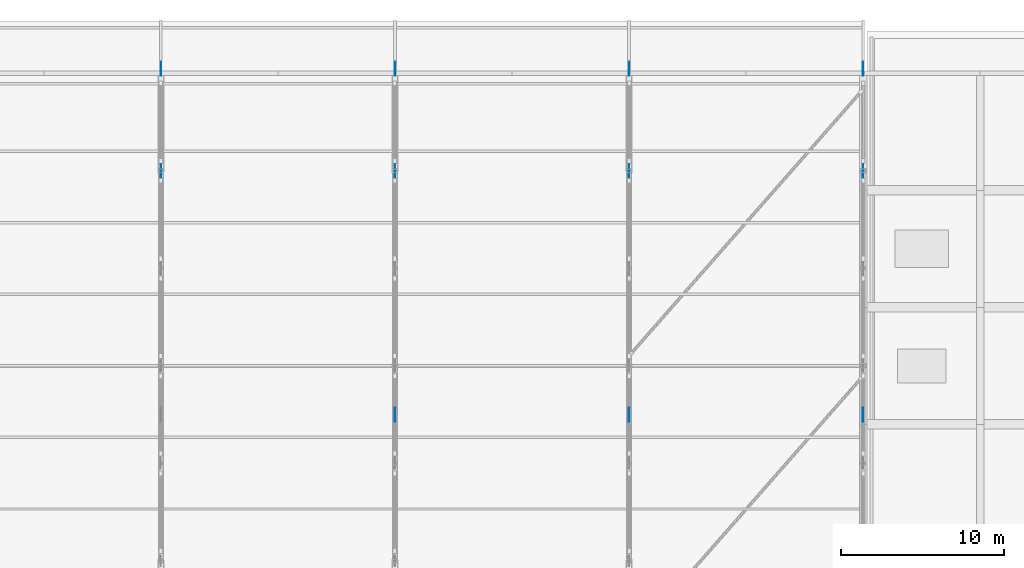
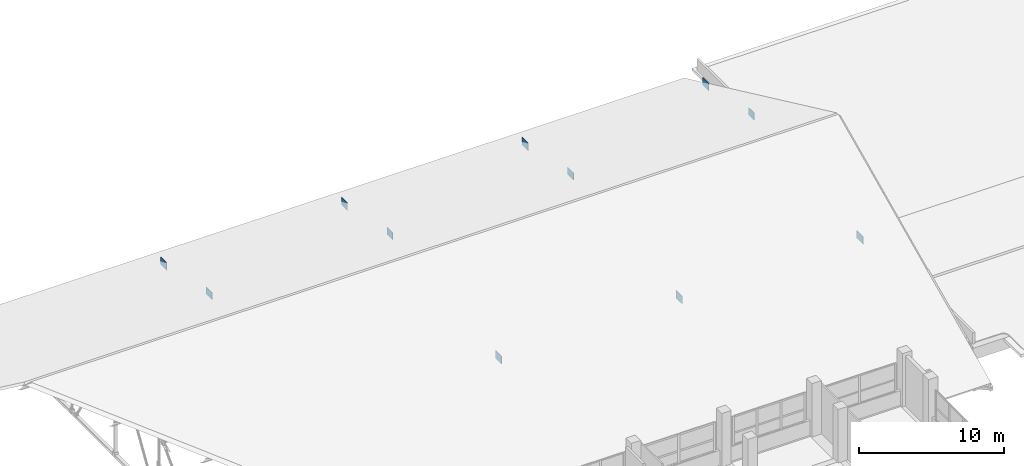
# One storey, part 120 of 141: 11 plates, 4 elements without a shape of their own.
"""IFC4 building model written with IfcOpenShell, lengths in metres."""

from ifc_helpers import new_model, si_unit, direction, frame, origin, origin_2d, place, context, subcontext, project, spatial, rectangle, extrude, material, layer, layer_set, type_object, element, aggregate, save


model = new_model("IFC4")

# Units and contexts
model_context = context("Model", 3, precision=1e-05, world=origin(), true_north=direction((0.0, 1.0)))
body_context = subcontext(model_context, "Body", "Model", "MODEL_VIEW")
ifc_project = project(units=[si_unit("LENGTHUNIT", "METRE"), si_unit("AREAUNIT", "SQUARE_METRE"), si_unit("VOLUMEUNIT", "CUBIC_METRE"), si_unit("PLANEANGLEUNIT", "RADIAN"), si_unit("MASSUNIT", "GRAM", prefix="KILO")], contexts=[model_context])

# Site, building, storey
site_placement = place(None, origin())
site = spatial("IfcSite", under=ifc_project, at=site_placement, CompositionType="ELEMENT")
building_placement = place(site_placement, origin())
building = spatial("IfcBuilding", under=site, at=building_placement, Name="Seraya Terrace Polytechnic", CompositionType="ELEMENT")
storey_placement = place(building_placement, frame((0.0, 0.0, 14.39990234375)))
storey = spatial("IfcBuildingStorey", under=building, at=storey_placement, Name="L03", CompositionType="ELEMENT", Elevation=14.39990234375)

# Assembly, plate
ifc_material = material(Name="Steel S355J2", Category="steel")
element_assembly_type = type_object("IfcElementAssemblyType", Name="TR-A1", PredefinedType="TRUSS", material=ifc_material)
assembly_1_placement = place(storey_placement, origin())
assembly_1 = element("IfcElementAssembly", 1, at=assembly_1_placement, inside=storey, type_object=element_assembly_type, Name="Pitched steel roof truss TR-05", AssemblyPlace="SITE", PredefinedType="TRUSS")
ifc_layer_1 = layer(ifc_material, 0.028076171875, Name="TN-06")
ifc_layer_set_1 = layer_set([ifc_layer_1], Name="Steel S355J2")
plate_type_1 = type_object("IfcPlateType", Name="TN-06", PredefinedType="USERDEFINED", material=ifc_layer_set_1)
plate_1_placement = place(storey_placement, frame((72.0, 109.199951171875, 1.175048828125), z_axis=(0.0, 0.0, 1.0), x_axis=(0.0, 1.0, 0.0)))
plate_1 = element("IfcPlate", 2, at=plate_1_placement, type_object=plate_type_1, Name="TR-05 bolted node gusset plate TN-06", ObjectType="GUSSET_PLATE", PredefinedType="USERDEFINED", context=body_context, shape_type="SweptSolid", body=[
    extrude(rectangle(XDim=0.800048828125, YDim=0.028076171875, at=origin_2d()), origin(), (0.0, 0.0, 1.0), 0.60009765625),
])

assembly_2_placement = place(storey_placement, origin())
assembly_2 = element("IfcElementAssembly", 3, at=assembly_2_placement, inside=storey, type_object=element_assembly_type, Name="Pitched steel roof truss TR-06", AssemblyPlace="SITE", PredefinedType="TRUSS")
plate_2_placement = place(storey_placement, frame((86.39990234375, 109.199951171875, 1.175048828125), z_axis=(0.0, 0.0, 1.0), x_axis=(0.0, 1.0, 0.0)))
plate_2 = element("IfcPlate", 4, at=plate_2_placement, type_object=plate_type_1, Name="TR-06 bolted node gusset plate TN-06", ObjectType="GUSSET_PLATE", PredefinedType="USERDEFINED", context=body_context, shape_type="SweptSolid", body=[
    extrude(rectangle(XDim=0.800048828125, YDim=0.028076171875, at=origin_2d()), origin(), (0.0, 0.0, 1.0), 0.60009765625),
])

assembly_3_placement = place(storey_placement, origin())
assembly_3 = element("IfcElementAssembly", 5, at=assembly_3_placement, inside=storey, type_object=element_assembly_type, Name="Pitched steel roof truss TR-07", AssemblyPlace="SITE", PredefinedType="TRUSS")
plate_3_placement = place(storey_placement, frame((100.800048828125, 109.199951171875, 1.175048828125), z_axis=(0.0, 0.0, 1.0), x_axis=(0.0, 1.0, 0.0)))
plate_3 = element("IfcPlate", 6, at=plate_3_placement, type_object=plate_type_1, Name="TR-07 bolted node gusset plate TN-06", ObjectType="GUSSET_PLATE", PredefinedType="USERDEFINED", context=body_context, shape_type="SweptSolid", body=[
    extrude(rectangle(XDim=0.800048828125, YDim=0.028076171875, at=origin_2d()), origin(), (0.0, 0.0, 1.0), 0.60009765625),
])

assembly_4_placement = place(storey_placement, origin())
assembly_4 = element("IfcElementAssembly", 7, at=assembly_4_placement, inside=storey, type_object=element_assembly_type, Name="Pitched steel roof truss TR-08", AssemblyPlace="SITE", PredefinedType="TRUSS")
plate_4_placement = place(storey_placement, frame((115.199951171875, 109.199951171875, 1.175048828125), z_axis=(0.0, 0.0, 1.0), x_axis=(0.0, 1.0, 0.0)))
plate_4 = element("IfcPlate", 8, at=plate_4_placement, type_object=plate_type_1, Name="TR-08 bolted node gusset plate TN-06", ObjectType="GUSSET_PLATE", PredefinedType="USERDEFINED", context=body_context, shape_type="SweptSolid", body=[
    extrude(rectangle(XDim=0.800048828125, YDim=0.028076171875, at=origin_2d()), origin(), (0.0, 0.0, 1.0), 0.60009765625),
])

# Plate
ifc_layer_2 = layer(ifc_material, 0.030029296875, Name="TN-07")
ifc_layer_set_2 = layer_set([ifc_layer_2], Name="Steel S355J2")
plate_type_2 = type_object("IfcPlateType", Name="TN-07", PredefinedType="USERDEFINED", material=ifc_layer_set_2)
plate_5_placement = place(storey_placement, frame((72.0, 115.47998046875, -0.164794921875), z_axis=(0.0, 0.0, 1.0), x_axis=(0.0, 1.0, 0.0)))
plate_5 = element("IfcPlate", 9, at=plate_5_placement, type_object=plate_type_2, Name="TR-05 bolted node gusset plate TN-07", ObjectType="GUSSET_PLATE", PredefinedType="USERDEFINED", context=body_context, shape_type="SweptSolid", body=[
    extrude(rectangle(XDim=0.840087890625, YDim=0.030029296875, at=origin_2d()), origin(), (0.0, 0.0, 1.0), 0.6298828125),
])

aggregate(assembly_1, [plate_1, plate_5])

plate_6_placement = place(storey_placement, frame((86.39990234375, 115.47998046875, -0.164794921875), z_axis=(0.0, 0.0, 1.0), x_axis=(0.0, 1.0, 0.0)))
plate_6 = element("IfcPlate", 10, at=plate_6_placement, type_object=plate_type_2, Name="TR-06 bolted node gusset plate TN-07", ObjectType="GUSSET_PLATE", PredefinedType="USERDEFINED", context=body_context, shape_type="SweptSolid", body=[
    extrude(rectangle(XDim=0.840087890625, YDim=0.030029296875, at=origin_2d()), origin(), (0.0, 0.0, 1.0), 0.6298828125),
])

plate_7_placement = place(storey_placement, frame((100.800048828125, 115.47998046875, -0.164794921875), z_axis=(0.0, 0.0, 1.0), x_axis=(0.0, 1.0, 0.0)))
plate_7 = element("IfcPlate", 11, at=plate_7_placement, type_object=plate_type_2, Name="TR-07 bolted node gusset plate TN-07", ObjectType="GUSSET_PLATE", PredefinedType="USERDEFINED", context=body_context, shape_type="SweptSolid", body=[
    extrude(rectangle(XDim=0.840087890625, YDim=0.030029296875, at=origin_2d()), origin(), (0.0, 0.0, 1.0), 0.6298828125),
])

plate_8_placement = place(storey_placement, frame((115.199951171875, 115.47998046875, -0.164794921875), z_axis=(0.0, 0.0, 1.0), x_axis=(0.0, 1.0, 0.0)))
plate_8 = element("IfcPlate", 12, at=plate_8_placement, type_object=plate_type_2, Name="TR-08 bolted node gusset plate TN-07", ObjectType="GUSSET_PLATE", PredefinedType="USERDEFINED", context=body_context, shape_type="SweptSolid", body=[
    extrude(rectangle(XDim=0.840087890625, YDim=0.030029296875, at=origin_2d()), origin(), (0.0, 0.0, 1.0), 0.6298828125),
])

ifc_layer_3 = layer(ifc_material, 0.031982421875, Name="TN-08")
ifc_layer_set_3 = layer_set([ifc_layer_3], Name="Steel S355J2")
plate_type_3 = type_object("IfcPlateType", Name="TN-08", PredefinedType="USERDEFINED", material=ifc_layer_set_3)
plate_9_placement = place(storey_placement, frame((86.39990234375, 94.199951171875, -0.1796875), z_axis=(0.0, 0.0, 1.0), x_axis=(0.0, 1.0, 0.0)))
plate_9 = element("IfcPlate", 13, at=plate_9_placement, type_object=plate_type_3, Name="TR-06 bottom chord splice plate TN-08", ObjectType="GUSSET_PLATE", PredefinedType="USERDEFINED", context=body_context, shape_type="SweptSolid", body=[
    extrude(rectangle(XDim=0.8798828125, YDim=0.031982421875, at=origin_2d()), origin(), (0.0, 0.0, 1.0), 0.659912109375),
])

aggregate(assembly_2, [plate_2, plate_6, plate_9])

plate_10_placement = place(storey_placement, frame((100.800048828125, 94.199951171875, -0.1796875), z_axis=(0.0, 0.0, 1.0), x_axis=(0.0, 1.0, 0.0)))
plate_10 = element("IfcPlate", 14, at=plate_10_placement, type_object=plate_type_3, Name="TR-07 bottom chord splice plate TN-08", ObjectType="GUSSET_PLATE", PredefinedType="USERDEFINED", context=body_context, shape_type="SweptSolid", body=[
    extrude(rectangle(XDim=0.8798828125, YDim=0.031982421875, at=origin_2d()), origin(), (0.0, 0.0, 1.0), 0.659912109375),
])

aggregate(assembly_3, [plate_3, plate_7, plate_10])

plate_11_placement = place(storey_placement, frame((115.199951171875, 94.199951171875, -0.1796875), z_axis=(0.0, 0.0, 1.0), x_axis=(0.0, 1.0, 0.0)))
plate_11 = element("IfcPlate", 15, at=plate_11_placement, type_object=plate_type_3, Name="TR-08 bottom chord splice plate TN-08", ObjectType="GUSSET_PLATE", PredefinedType="USERDEFINED", context=body_context, shape_type="SweptSolid", body=[
    extrude(rectangle(XDim=0.8798828125, YDim=0.031982421875, at=origin_2d()), origin(), (0.0, 0.0, 1.0), 0.659912109375),
])

aggregate(assembly_4, [plate_4, plate_8, plate_11])

save(model, "model.ifc")
